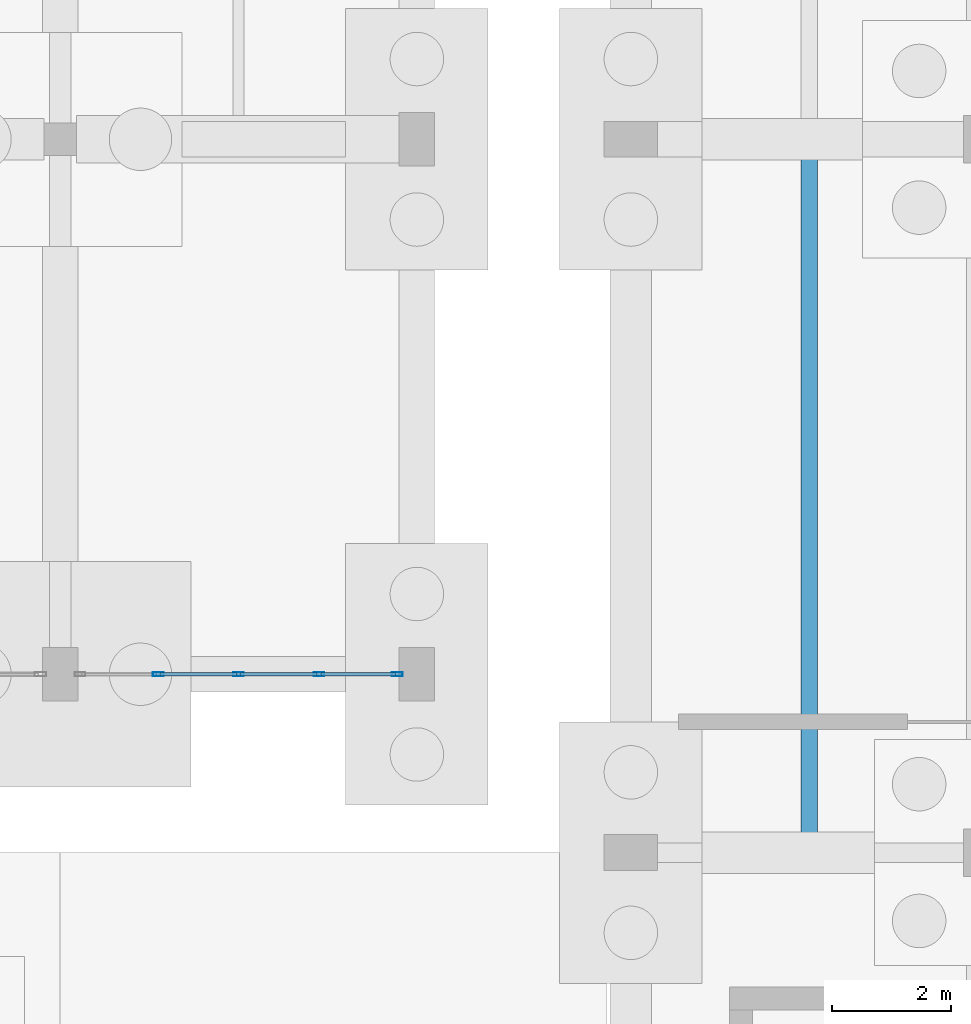
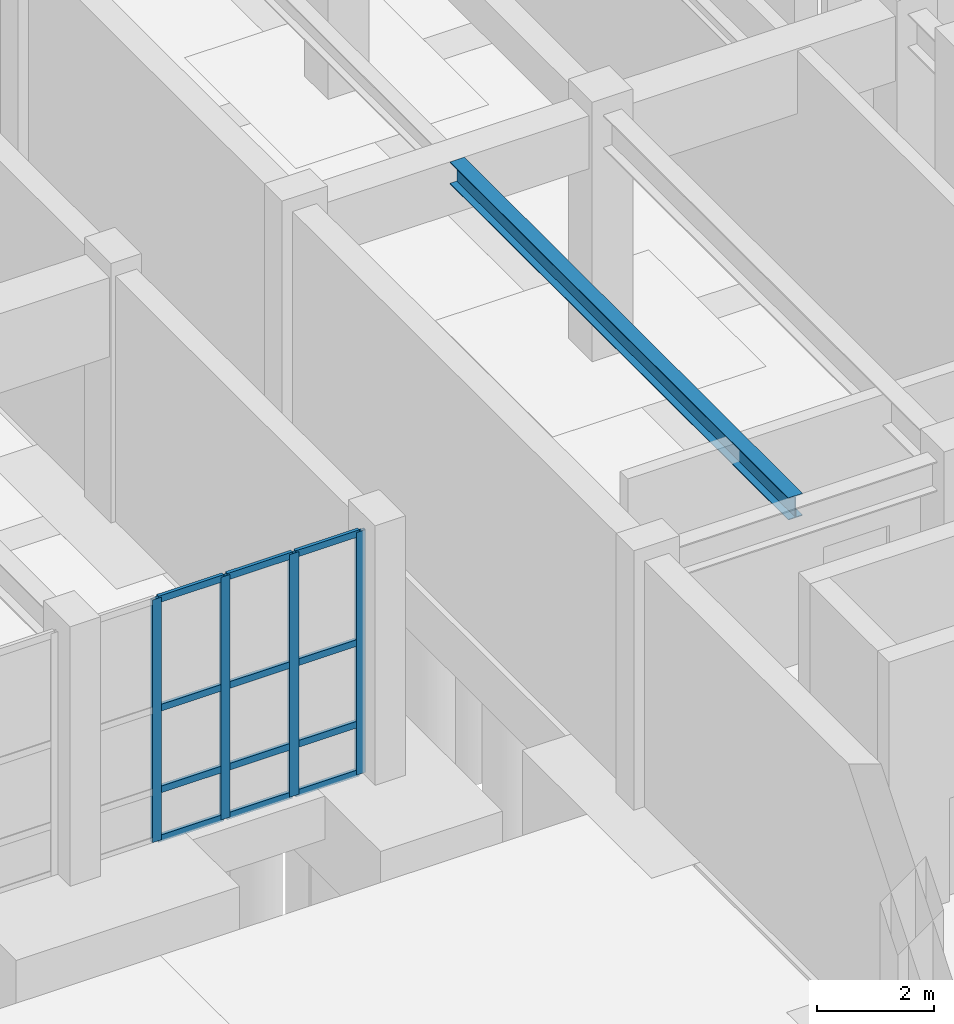
# One storey, part 27 of 69: 16 members, 1 beam, 1 element without a shape of its own.
"""IFC4 building model written with IfcOpenShell, lengths in metres."""

from ifc_helpers import new_model, si_unit, direction, frame, origin, origin_2d, place, context, subcontext, project, spatial, hollow_rectangle, i_section, extrude, material, layer, layer_set, material_profile, profile_set, type_object, element, aggregate, save


model = new_model("IFC4")

# Units and contexts
model_context = context("Model", 3, precision=1e-05, world=origin(), true_north=direction((0.0, 1.0)))
body_context = subcontext(model_context, "Body", "Model", "MODEL_VIEW")
ifc_project = project(units=[si_unit("LENGTHUNIT", "METRE"), si_unit("AREAUNIT", "SQUARE_METRE"), si_unit("VOLUMEUNIT", "CUBIC_METRE"), si_unit("PLANEANGLEUNIT", "RADIAN"), si_unit("MASSUNIT", "GRAM", prefix="KILO")], contexts=[model_context])

# Site, building, storey
site_placement = place(None, origin())
site = spatial("IfcSite", under=ifc_project, at=site_placement, CompositionType="ELEMENT")
building_placement = place(site_placement, origin())
building = spatial("IfcBuilding", under=site, at=building_placement, Name="Vaelkrest Opera House", CompositionType="ELEMENT")
storey_placement = place(building_placement, frame((0.0, 0.0, -5.39990234375)))
storey = spatial("IfcBuildingStorey", under=building, at=storey_placement, Name="B1", CompositionType="ELEMENT", Elevation=-5.39990234375)

# Curtain wall, members
ifc_material_1 = material(Name="Dark bronze anodized aluminium", Category="aluminium")
ifc_layer = layer(ifc_material_1, 0.179931640625)
ifc_layer_set = layer_set([ifc_layer], Name="Dark bronze anodized aluminium")
curtain_wall_type = type_object("IfcCurtainWallType", Name="CW01", PredefinedType="NOTDEFINED", material=ifc_layer_set)
curtain_wall_placement = place(storey_placement, origin())
curtain_wall = element("IfcCurtainWall", 1, at=curtain_wall_placement, inside=storey, type_object=curtain_wall_type, Name="Curtain wall CW-B1-081", PredefinedType="NOTDEFINED")
ifc_material_profile_1 = material_profile(ifc_material_1, hollow_rectangle(XDim=0.06494140625, YDim=0.179931640625, WallThickness=0.00390625, at=origin_2d()), Name="CWM65X180")
ifc_profile_set_1 = profile_set([ifc_material_profile_1], Name="Dark bronze anodized aluminium")
member_type_1 = type_object("IfcMemberType", Name="CWM01", PredefinedType="MULLION", material=ifc_profile_set_1)
member_1_placement = place(storey_placement, frame((-33.930419921875, -16.800048828125, 0.0), z_axis=(0.0, 0.0, 1.0), x_axis=(0.0, -1.0, 0.0)))
member_1 = element("IfcMember", 2, at=member_1_placement, type_object=member_type_1, Name="CW01 mullion 1", PredefinedType="MULLION", context=body_context, shape_type="SweptSolid", body=[
    extrude(hollow_rectangle(XDim=0.06494140625, YDim=0.179931640625, WallThickness=0.00390625, at=origin_2d()), origin(), (0.0, 0.0, 1.0), 5.0498046875),
])
member_2_placement = place(storey_placement, frame((-35.2490234375, -16.800048828125, 0.0), z_axis=(0.0, 0.0, 1.0), x_axis=(0.0, -1.0, 0.0)))
member_2 = element("IfcMember", 3, at=member_2_placement, type_object=member_type_1, Name="CW01 mullion 2", PredefinedType="MULLION", context=body_context, shape_type="SweptSolid", body=[
    extrude(hollow_rectangle(XDim=0.06494140625, YDim=0.179931640625, WallThickness=0.00390625, at=origin_2d()), origin(), (0.0, 0.0, 1.0), 5.0498046875),
])
member_3_placement = place(storey_placement, frame((-36.60009765625, -16.800048828125, 0.0), z_axis=(0.0, 0.0, 1.0), x_axis=(0.0, -1.0, 0.0)))
member_3 = element("IfcMember", 4, at=member_3_placement, type_object=member_type_1, Name="CW01 mullion 3", PredefinedType="MULLION", context=body_context, shape_type="SweptSolid", body=[
    extrude(hollow_rectangle(XDim=0.06494140625, YDim=0.179931640625, WallThickness=0.00390625, at=origin_2d()), origin(), (0.0, 0.0, 1.0), 5.0498046875),
])
member_4_placement = place(storey_placement, frame((-37.950927734375, -16.800048828125, 0.0), z_axis=(0.0, 0.0, 1.0), x_axis=(0.0, -1.0, 0.0)))
member_4 = element("IfcMember", 5, at=member_4_placement, type_object=member_type_1, Name="CW01 mullion 4", PredefinedType="MULLION", context=body_context, shape_type="SweptSolid", body=[
    extrude(hollow_rectangle(XDim=0.06494140625, YDim=0.179931640625, WallThickness=0.00390625, at=origin_2d()), origin(), (0.0, 0.0, 1.0), 5.0498046875),
])
ifc_material_profile_2 = material_profile(ifc_material_1, hollow_rectangle(XDim=0.06494140625, YDim=0.139892578125, WallThickness=0.00390625, at=origin_2d()), Name="CWT65X140")
ifc_profile_set_2 = profile_set([ifc_material_profile_2], Name="Dark bronze anodized aluminium")
member_type_2 = type_object("IfcMemberType", Name="CWT01", PredefinedType="USERDEFINED", material=ifc_profile_set_2)
member_5_placement = place(storey_placement, frame((-33.962890625, -16.800048828125, 0.032470703125), z_axis=(-1.0, 0.0, 0.0), x_axis=(0.0, -1.0, 0.0)))
member_5 = element("IfcMember", 6, at=member_5_placement, type_object=member_type_2, Name="CW01 transom 1.1", ObjectType="TRANSOM", PredefinedType="USERDEFINED", context=body_context, shape_type="SweptSolid", body=[
    extrude(hollow_rectangle(XDim=0.06494140625, YDim=0.139892578125, WallThickness=0.00390625, at=origin_2d()), origin(), (0.0, 0.0, 1.0), 1.253662109375),
])
member_6_placement = place(storey_placement, frame((-33.962890625, -16.800048828125, 1.0498046875), z_axis=(-1.0, 0.0, 0.0), x_axis=(0.0, -1.0, 0.0)))
member_6 = element("IfcMember", 7, at=member_6_placement, type_object=member_type_2, Name="CW01 transom 1.2", ObjectType="TRANSOM", PredefinedType="USERDEFINED", context=body_context, shape_type="SweptSolid", body=[
    extrude(hollow_rectangle(XDim=0.06494140625, YDim=0.139892578125, WallThickness=0.00390625, at=origin_2d()), origin(), (0.0, 0.0, 1.0), 1.253662109375),
])
member_7_placement = place(storey_placement, frame((-33.962890625, -16.800048828125, 2.75), z_axis=(-1.0, 0.0, 0.0), x_axis=(0.0, -1.0, 0.0)))
member_7 = element("IfcMember", 8, at=member_7_placement, type_object=member_type_2, Name="CW01 transom 1.3", ObjectType="TRANSOM", PredefinedType="USERDEFINED", context=body_context, shape_type="SweptSolid", body=[
    extrude(hollow_rectangle(XDim=0.06494140625, YDim=0.139892578125, WallThickness=0.00390625, at=origin_2d()), origin(), (0.0, 0.0, 1.0), 1.253662109375),
])
member_8_placement = place(storey_placement, frame((-33.962890625, -16.800048828125, 5.017333984375), z_axis=(-1.0, 0.0, 0.0), x_axis=(0.0, -1.0, 0.0)))
member_8 = element("IfcMember", 9, at=member_8_placement, type_object=member_type_2, Name="CW01 transom 1.4", ObjectType="TRANSOM", PredefinedType="USERDEFINED", context=body_context, shape_type="SweptSolid", body=[
    extrude(hollow_rectangle(XDim=0.06494140625, YDim=0.139892578125, WallThickness=0.00390625, at=origin_2d()), origin(), (0.0, 0.0, 1.0), 1.253662109375),
])
member_9_placement = place(storey_placement, frame((-35.281494140625, -16.800048828125, 0.032470703125), z_axis=(-1.0, 0.0, 0.0), x_axis=(0.0, -1.0, 0.0)))
member_9 = element("IfcMember", 10, at=member_9_placement, type_object=member_type_2, Name="CW01 transom 2.1", ObjectType="TRANSOM", PredefinedType="USERDEFINED", context=body_context, shape_type="SweptSolid", body=[
    extrude(hollow_rectangle(XDim=0.06494140625, YDim=0.139892578125, WallThickness=0.00390625, at=origin_2d()), origin(), (0.0, 0.0, 1.0), 1.285888671875),
])
member_10_placement = place(storey_placement, frame((-35.281494140625, -16.800048828125, 1.0498046875), z_axis=(-1.0, 0.0, 0.0), x_axis=(0.0, -1.0, 0.0)))
member_10 = element("IfcMember", 11, at=member_10_placement, type_object=member_type_2, Name="CW01 transom 2.2", ObjectType="TRANSOM", PredefinedType="USERDEFINED", context=body_context, shape_type="SweptSolid", body=[
    extrude(hollow_rectangle(XDim=0.06494140625, YDim=0.139892578125, WallThickness=0.00390625, at=origin_2d()), origin(), (0.0, 0.0, 1.0), 1.285888671875),
])
member_11_placement = place(storey_placement, frame((-35.281494140625, -16.800048828125, 2.75), z_axis=(-1.0, 0.0, 0.0), x_axis=(0.0, -1.0, 0.0)))
member_11 = element("IfcMember", 12, at=member_11_placement, type_object=member_type_2, Name="CW01 transom 2.3", ObjectType="TRANSOM", PredefinedType="USERDEFINED", context=body_context, shape_type="SweptSolid", body=[
    extrude(hollow_rectangle(XDim=0.06494140625, YDim=0.139892578125, WallThickness=0.00390625, at=origin_2d()), origin(), (0.0, 0.0, 1.0), 1.285888671875),
])
member_12_placement = place(storey_placement, frame((-35.281494140625, -16.800048828125, 5.017333984375), z_axis=(-1.0, 0.0, 0.0), x_axis=(0.0, -1.0, 0.0)))
member_12 = element("IfcMember", 13, at=member_12_placement, type_object=member_type_2, Name="CW01 transom 2.4", ObjectType="TRANSOM", PredefinedType="USERDEFINED", context=body_context, shape_type="SweptSolid", body=[
    extrude(hollow_rectangle(XDim=0.06494140625, YDim=0.139892578125, WallThickness=0.00390625, at=origin_2d()), origin(), (0.0, 0.0, 1.0), 1.285888671875),
])
member_13_placement = place(storey_placement, frame((-36.632568359375, -16.800048828125, 0.032470703125), z_axis=(-1.0, 0.0, 0.0), x_axis=(0.0, -1.0, 0.0)))
member_13 = element("IfcMember", 14, at=member_13_placement, type_object=member_type_2, Name="CW01 transom 3.1", ObjectType="TRANSOM", PredefinedType="USERDEFINED", context=body_context, shape_type="SweptSolid", body=[
    extrude(hollow_rectangle(XDim=0.06494140625, YDim=0.139892578125, WallThickness=0.00390625, at=origin_2d()), origin(), (0.0, 0.0, 1.0), 1.285888671875),
])
member_14_placement = place(storey_placement, frame((-36.632568359375, -16.800048828125, 1.0498046875), z_axis=(-1.0, 0.0, 0.0), x_axis=(0.0, -1.0, 0.0)))
member_14 = element("IfcMember", 15, at=member_14_placement, type_object=member_type_2, Name="CW01 transom 3.2", ObjectType="TRANSOM", PredefinedType="USERDEFINED", context=body_context, shape_type="SweptSolid", body=[
    extrude(hollow_rectangle(XDim=0.06494140625, YDim=0.139892578125, WallThickness=0.00390625, at=origin_2d()), origin(), (0.0, 0.0, 1.0), 1.285888671875),
])
member_15_placement = place(storey_placement, frame((-36.632568359375, -16.800048828125, 2.75), z_axis=(-1.0, 0.0, 0.0), x_axis=(0.0, -1.0, 0.0)))
member_15 = element("IfcMember", 16, at=member_15_placement, type_object=member_type_2, Name="CW01 transom 3.3", ObjectType="TRANSOM", PredefinedType="USERDEFINED", context=body_context, shape_type="SweptSolid", body=[
    extrude(hollow_rectangle(XDim=0.06494140625, YDim=0.139892578125, WallThickness=0.00390625, at=origin_2d()), origin(), (0.0, 0.0, 1.0), 1.285888671875),
])
member_16_placement = place(storey_placement, frame((-36.632568359375, -16.800048828125, 5.017333984375), z_axis=(-1.0, 0.0, 0.0), x_axis=(0.0, -1.0, 0.0)))
member_16 = element("IfcMember", 17, at=member_16_placement, type_object=member_type_2, Name="CW01 transom 3.4", ObjectType="TRANSOM", PredefinedType="USERDEFINED", context=body_context, shape_type="SweptSolid", body=[
    extrude(hollow_rectangle(XDim=0.06494140625, YDim=0.139892578125, WallThickness=0.00390625, at=origin_2d()), origin(), (0.0, 0.0, 1.0), 1.285888671875),
])
aggregate(curtain_wall, [member_1, member_2, member_3, member_4, member_5, member_6, member_7, member_8, member_9, member_10, member_11, member_12, member_13, member_14, member_15, member_16])

# Beam
ifc_material_2 = material(Name="Steel A992 Gr50", Category="steel")
ifc_material_profile_3 = material_profile(ifc_material_2, i_section(OverallWidth=0.280029296875, OverallDepth=0.462890625, WebThickness=0.0107421875, FlangeThickness=0.017333984375, at=origin_2d()), Name="W18X76")
ifc_profile_set_3 = profile_set([ifc_material_profile_3], Name="Steel A992 Gr50")
beam_type = type_object("IfcBeamType", Name="J09", PredefinedType="JOIST", material=ifc_profile_set_3)
beam_placement = place(storey_placement, frame((-27.0, -19.636474609375, 4.828369140625), z_axis=(0.0, 1.0, 0.0), x_axis=(-1.0, 0.0, 0.0)))
element("IfcBeam", 18, at=beam_placement, inside=storey, type_object=beam_type, Name="Floor joist JST-V1-B1-0069", PredefinedType="JOIST", context=body_context, shape_type="SweptSolid", body=[
    extrude(i_section(OverallWidth=0.280029296875, OverallDepth=0.462890625, WebThickness=0.0107421875, FlangeThickness=0.017333984375, at=origin_2d()), origin(), (0.0, 0.0, 1.0), 11.536376953125),
])

save(model, "model.ifc")
